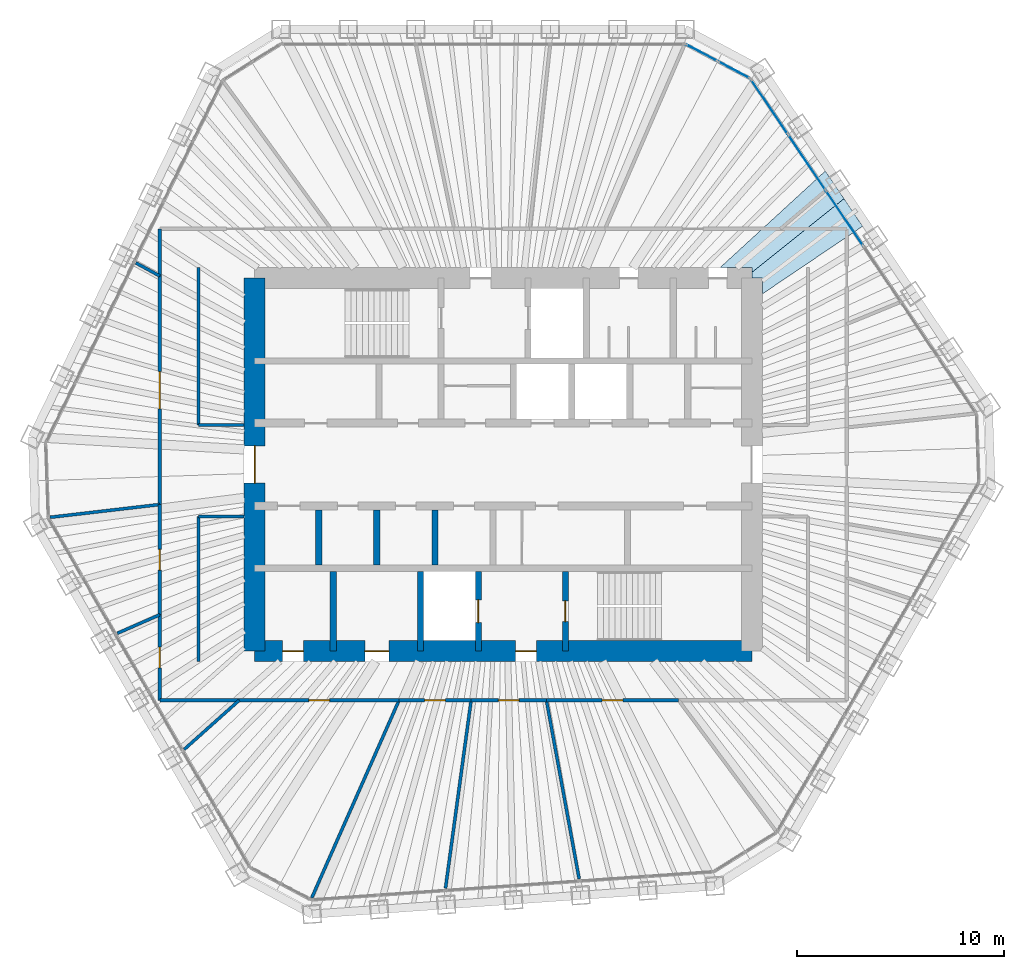
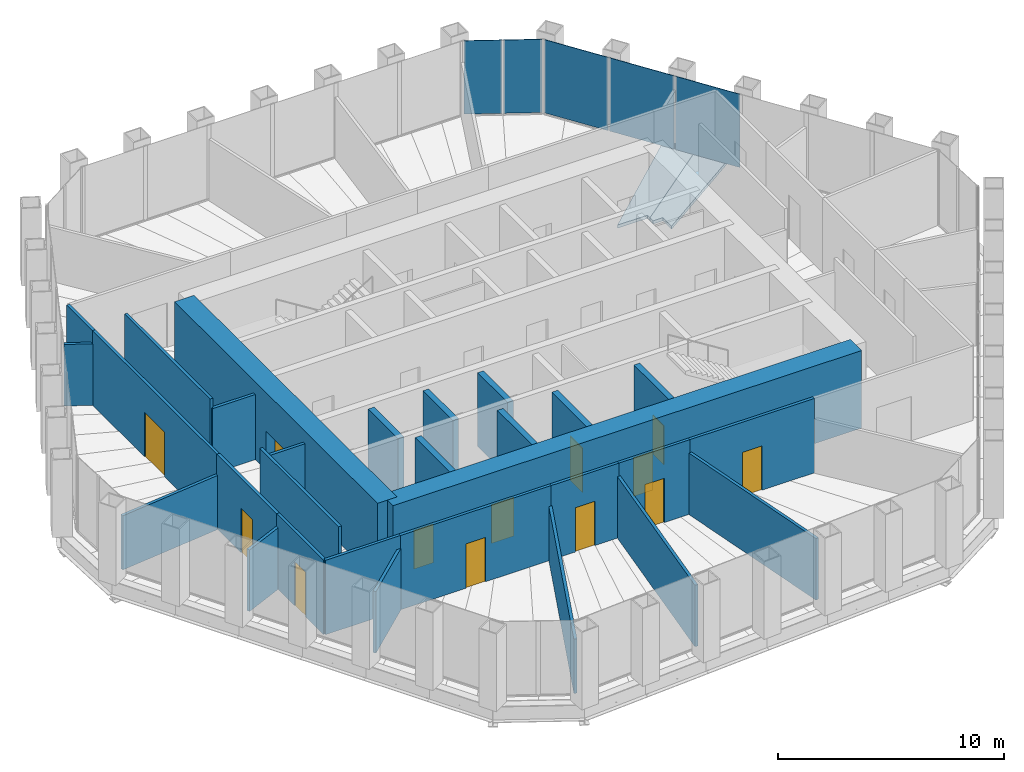
# One storey, part 11 of 14: 29 walls, 13 doors, 5 plates, 2 slabs, 13 openings, 2 elements without a shape of their own.
"""IFC4 building model written with IfcOpenShell, lengths in metres."""

from ifc_helpers import new_model, si_unit, direction, frame, frame_2d, origin, origin_2d, place, context, subcontext, project, spatial, polyline, rectangle, outline, extrude, material, layer, layer_set, type_object, element, fill, aggregate, save


model = new_model("IFC4")

# Units and contexts
model_context = context("Model", 3, precision=1e-05, world=origin(), true_north=direction((0.0, 1.0)))
body_context = subcontext(model_context, "Body", "Model", "MODEL_VIEW")
ifc_project = project(units=[si_unit("LENGTHUNIT", "METRE"), si_unit("AREAUNIT", "SQUARE_METRE"), si_unit("VOLUMEUNIT", "CUBIC_METRE"), si_unit("PLANEANGLEUNIT", "RADIAN"), si_unit("MASSUNIT", "GRAM", prefix="KILO")], contexts=[model_context])

# Site, building, storey
site_placement = place(None, origin())
site = spatial("IfcSite", under=ifc_project, at=site_placement, CompositionType="ELEMENT")
building_placement = place(site_placement, origin())
building = spatial("IfcBuilding", under=site, at=building_placement, Name="Qingtian Harvest Tower", CompositionType="ELEMENT")
storey_placement = place(building_placement, frame((0.0, 0.0, 278.800048828125)))
storey = spatial("IfcBuildingStorey", under=building, at=storey_placement, Name="L61", CompositionType="ELEMENT", Elevation=278.800048828125)

# Slabs
ifc_material_1 = material(Name="Concrete fc' 35 MPa", Category="concrete")
ifc_layer_1 = layer(ifc_material_1, 0.169921875)
ifc_layer_set_1 = layer_set([ifc_layer_1], Name="Composite floor slab FS17 170")
slab_type = type_object("IfcSlabType", Name="Composite floor slab FS17 170", PredefinedType="FLOOR", material=ifc_layer_set_1)
slab_1_placement = place(storey_placement, frame((0.0, 0.0, -0.170166015625)))
element("IfcSlab", 1, at=slab_1_placement, inside=storey, type_object=slab_type, Name="Floor slab L61 panel D47", PredefinedType="FLOOR", context=body_context, shape_type="SweptSolid", body=[
    extrude(outline(polyline([(12.5, 9.0), (12.0, 9.0), (12.0, 9.2734375), (16.44189453125, 12.829345703125), (17.341064453125, 11.496337890625), (12.5, 8.22998046875), (12.5, 9.0)])), origin(), (0.0, 0.0, 1.0), 0.170166015625),
])
slab_2_placement = place(storey_placement, frame((0.0, 0.0, -0.170166015625)))
element("IfcSlab", 2, at=slab_2_placement, inside=storey, type_object=slab_type, Name="Floor slab L61 panel D48", PredefinedType="FLOOR", context=body_context, shape_type="SweptSolid", body=[
    extrude(outline(polyline([(12.0, 9.5), (10.4599609375, 9.5), (15.541259765625, 14.16455078125), (16.44189453125, 12.829345703125), (12.0, 9.2734375), (12.0, 9.5)])), origin(), (0.0, 0.0, 1.0), 0.170166015625),
])

# Curtain wall, plates
ifc_material_2 = material(Name="Bronze-anodised aluminium curtain wall", Category="aluminium")
curtain_wall_type = type_object("IfcCurtainWallType", Name="Curtain wall CW5 upper office", PredefinedType="USERDEFINED", material=ifc_material_2)
curtain_wall_1_placement = place(storey_placement, origin())
curtain_wall_1 = element("IfcCurtainWall", 3, at=curtain_wall_1_placement, inside=storey, type_object=curtain_wall_type, Name="Curtain wall CW5 L61 NC", ObjectType="RECESSED CURTAIN WALL", PredefinedType="USERDEFINED")
ifc_material_3 = material(Name="Bronze-tinted laminated insulating glass", Category="glass")
ifc_layer_2 = layer(ifc_material_3, 0.030029296875)
ifc_layer_set_2 = layer_set([ifc_layer_2], Name="Glazed panel CWP tinted IGU")
plate_type = type_object("IfcPlateType", Name="Glazed panel CWP tinted IGU", PredefinedType="CURTAIN_PANEL", material=ifc_layer_set_2)
plate_1_placement = place(storey_placement, frame((9.57080078125, 19.8720703125, 0.06494140625), z_axis=(0.0, 0.0, 1.0), x_axis=(0.882947592859, -0.469471562786, 0.0)))
plate_1 = element("IfcPlate", 4, at=plate_1_placement, type_object=plate_type, Name="CW5 panel 1.1", PredefinedType="CURTAIN_PANEL", context=body_context, shape_type="SweptSolid", body=[
    extrude(rectangle(XDim=1.69287109375, YDim=0.030029296875, at=origin_2d()), origin(), (0.0, 0.0, 1.0), 3.965087890625),
])
plate_2_placement = place(storey_placement, frame((11.122802734375, 19.046875, 0.06494140625), z_axis=(0.0, 0.0, 1.0), x_axis=(0.882947592859, -0.469471562786, 0.0)))
plate_2 = element("IfcPlate", 5, at=plate_2_placement, type_object=plate_type, Name="CW5 panel 2.1", PredefinedType="CURTAIN_PANEL", context=body_context, shape_type="SweptSolid", body=[
    extrude(rectangle(XDim=1.69287109375, YDim=0.030029296875, at=origin_2d()), origin(), (0.0, 0.0, 1.0), 3.965087890625),
])
aggregate(curtain_wall_1, [plate_1, plate_2])

curtain_wall_2_placement = place(storey_placement, origin())
curtain_wall_2 = element("IfcCurtainWall", 6, at=curtain_wall_2_placement, inside=storey, type_object=curtain_wall_type, Name="Curtain wall CW5 L61 NE0-5", ObjectType="RECESSED CURTAIN WALL", PredefinedType="USERDEFINED")
plate_3_placement = place(storey_placement, frame((12.844970703125, 17.259033203125, 0.06494140625), z_axis=(0.0, 0.0, 1.0), x_axis=(0.559192903471, -0.829037572555, 0.0)))
plate_3 = element("IfcPlate", 7, at=plate_3_placement, type_object=plate_type, Name="CW5 panel 1.1", PredefinedType="CURTAIN_PANEL", context=body_context, shape_type="SweptSolid", body=[
    extrude(rectangle(XDim=3.150634765625, YDim=0.030029296875, at=origin_2d()), origin(), (0.0, 0.0, 1.0), 3.965087890625),
])
plate_4_placement = place(storey_placement, frame((14.652099609375, 14.579833984375, 0.06494140625), z_axis=(0.0, 0.0, 1.0), x_axis=(0.559192903471, -0.829037572555, 0.0)))
plate_4 = element("IfcPlate", 8, at=plate_4_placement, type_object=plate_type, Name="CW5 panel 2.1", PredefinedType="CURTAIN_PANEL", context=body_context, shape_type="SweptSolid", body=[
    extrude(rectangle(XDim=3.18310546875, YDim=0.030029296875, at=origin_2d()), origin(), (0.0, 0.0, 1.0), 3.965087890625),
])
plate_5_placement = place(storey_placement, frame((16.46826171875, 11.886962890625, 0.06494140625), z_axis=(0.0, 0.0, 1.0), x_axis=(0.559192903471, -0.829037572555, 0.0)))
plate_5 = element("IfcPlate", 9, at=plate_5_placement, type_object=plate_type, Name="CW5 panel 3.1", PredefinedType="CURTAIN_PANEL", context=body_context, shape_type="SweptSolid", body=[
    extrude(rectangle(XDim=3.18310546875, YDim=0.030029296875, at=origin_2d()), origin(), (0.0, 0.0, 1.0), 3.965087890625),
])
aggregate(curtain_wall_2, [plate_3, plate_4, plate_5])

# Walls
ifc_material_4 = material(Name="Precast concrete shaft panel", Category="concrete")
ifc_layer_3 = layer(ifc_material_4, 0.300048828125)
ifc_layer_set_3 = layer_set([ifc_layer_3], Name="Core shaft partition SW1 300")
wall_type_1 = type_object("IfcWallType", Name="Core shaft partition SW1 300", PredefinedType="PARTITIONING", material=ifc_layer_set_3)
for number, where, z_axis, x_axis, name in (
    (10, (-8.89990234375, -4.85009765625, 0.0), (0.0, 0.0, 1.0), (0.0, 1.0, 0.0), "Core shaft partition XB1 L61"),
    (11, (-6.10009765625, -4.85009765625, 0.0), (0.0, 0.0, 1.0), (0.0, 1.0, 0.0), "Core shaft partition XB2 L61"),
    (12, (-3.300048828125, -4.85009765625, 0.0), (0.0, 0.0, 1.0), (0.0, 1.0, 0.0), "Core shaft partition XB3 L61"),
):
    element("IfcWall", number, at=place(storey_placement, frame(where, z_axis=z_axis, x_axis=x_axis)), inside=storey, type_object=wall_type_1, Name=name, PredefinedType="PARTITIONING", context=body_context, shape_type="SweptSolid", body=[
        extrude(rectangle(XDim=2.650146484375, YDim=0.300048828125, at=frame_2d((1.3251953125, 0.0))), origin(), (0.0, 0.0, 1.0), 3.97998046875),
    ])
for number, where, z_axis, x_axis, name in (
    (13, (-8.199951171875, -9.0, 0.0), (0.0, 0.0, 1.0), (0.0, 1.0, 0.0), "Core shaft partition XS1 L61"),
    (14, (-4.0, -9.0, 0.0), (0.0, 0.0, 1.0), (0.0, 1.0, 0.0), "Core shaft partition XS2 L61"),
):
    element("IfcWall", number, at=place(storey_placement, frame(where, z_axis=z_axis, x_axis=x_axis)), inside=storey, type_object=wall_type_1, Name=name, PredefinedType="PARTITIONING", context=body_context, shape_type="SweptSolid", body=[
        extrude(rectangle(XDim=3.85009765625, YDim=0.300048828125, at=frame_2d((1.925048828125, 0.0))), origin(), (0.0, 0.0, 1.0), 3.97998046875),
    ])

# Wall, opening, door
wall_1_placement = place(storey_placement, frame((-1.199951171875, -9.0, 0.0), z_axis=(0.0, 0.0, 1.0), x_axis=(0.0, 1.0, 0.0)))
wall_1 = element("IfcWall", 15, at=wall_1_placement, inside=storey, type_object=wall_type_1, Name="Core shaft partition XS3 L61", PredefinedType="PARTITIONING", context=body_context, shape_type="SweptSolid", body=[
    extrude(rectangle(XDim=3.85009765625, YDim=0.300048828125, at=frame_2d((1.925048828125, 0.0))), origin(), (0.0, 0.0, 1.0), 3.97998046875),
])
opening_1_placement = place(wall_1_placement, frame((1.375, 0.0, 0.0)))
opening_1 = element("IfcOpeningElement", 16, at=opening_1_placement, cuts=wall_1, Name="Opening LD1", PredefinedType="OPENING", context=body_context, shape_type="SweptSolid", body=[
    extrude(rectangle(XDim=1.10009765625, YDim=2.39990234375, at=frame_2d((0.550048828125, 1.199951171875))), frame((0.0, 0.159912109375, 0.0), z_axis=(0.0, -1.0, 0.0), x_axis=(1.0, 0.0, 0.0)), (0.0, 0.0, 1.0), 0.320068359375),
])
ifc_material_5 = material(Name="Stainless steel lift landing door", Category="steel")
door_type_1 = type_object("IfcDoorType", Name="Lift landing door LD1 1 HR", OperationType="DOUBLE_DOOR_SLIDING", PredefinedType="DOOR", material=ifc_material_5)
door_1_placement = place(opening_1_placement, origin())
door_1 = element("IfcDoor", 17, at=door_1_placement, inside=storey, type_object=door_type_1, Name="FL2 landing door L61", OperationType="DOUBLE_DOOR_SLIDING", OverallHeight=2.39990234375, OverallWidth=1.10009765625, PredefinedType="DOOR", context=body_context, shape_type="SweptSolid", body=[
    extrude(rectangle(XDim=1.10009765625, YDim=2.39990234375, at=frame_2d((0.550048828125, 1.199951171875))), frame((0.0, 0.02490234375, 0.0), z_axis=(0.0, -1.0, 0.0), x_axis=(1.0, 0.0, 0.0)), (0.0, 0.0, 1.0), 0.050048828125),
])
fill(opening_1, door_1)

wall_2_placement = place(storey_placement, frame((3.0, -9.0, 0.0), z_axis=(0.0, 0.0, 1.0), x_axis=(0.0, 1.0, 0.0)))
wall_2 = element("IfcWall", 18, at=wall_2_placement, inside=storey, type_object=wall_type_1, Name="Core shaft partition XS4 L61", PredefinedType="PARTITIONING", context=body_context, shape_type="SweptSolid", body=[
    extrude(rectangle(XDim=3.85009765625, YDim=0.300048828125, at=frame_2d((1.925048828125, 0.0))), origin(), (0.0, 0.0, 1.0), 3.97998046875),
])
opening_2_placement = place(wall_2_placement, frame((1.425048828125, 0.0, 0.0)))
opening_2 = element("IfcOpeningElement", 19, at=opening_2_placement, cuts=wall_2, Name="Opening FD1", PredefinedType="OPENING", context=body_context, shape_type="SweptSolid", body=[
    extrude(rectangle(XDim=1.0, YDim=2.10009765625, at=frame_2d((0.5, 1.050048828125))), frame((0.0, 0.159912109375, 0.0), z_axis=(0.0, -1.0, 0.0), x_axis=(1.0, 0.0, 0.0)), (0.0, 0.0, 1.0), 0.320068359375),
])
ifc_material_6 = material(Name="Steel-faced door leaf", Category="steel")
door_type_2 = type_object("IfcDoorType", Name="Fire door FD1 single 1 HR", OperationType="SINGLE_SWING_LEFT", PredefinedType="DOOR", material=ifc_material_6)
door_2_placement = place(opening_2_placement, origin())
door_2 = element("IfcDoor", 20, at=door_2_placement, inside=storey, type_object=door_type_2, Name="S2 door L61", OperationType="SINGLE_SWING_RIGHT", OverallHeight=2.10009765625, OverallWidth=1.0, PredefinedType="DOOR", context=body_context, shape_type="SweptSolid", body=[
    extrude(rectangle(XDim=1.0, YDim=2.10009765625, at=frame_2d((0.5, 1.050048828125))), frame((0.0, 0.02490234375, 0.0), z_axis=(0.0, -1.0, 0.0), x_axis=(1.0, 0.0, 0.0)), (0.0, 0.0, 1.0), 0.050048828125),
])
fill(opening_2, door_2)

# Wall, openings, doors
ifc_material_7 = material(Name="Concrete fc' 70 MPa", Category="concrete")
ifc_layer_4 = layer(ifc_material_7, 1.0)
ifc_layer_set_4 = layer_set([ifc_layer_4], Name="Core wall RC3 1000")
wall_type_2 = type_object("IfcWallType", Name="Core wall RC3 1000", PredefinedType="SHEAR", material=ifc_layer_set_4)
wall_3_placement = place(storey_placement, frame((-12.0, -9.0, 0.0), z_axis=(0.0, 0.0, 1.0), x_axis=(1.0, 0.0, 0.0)))
wall_3 = element("IfcWall", 21, at=wall_3_placement, inside=storey, type_object=wall_type_2, Name="Core wall CS L61", PredefinedType="SHEAR", context=body_context, shape_type="SweptSolid", body=[
    extrude(rectangle(XDim=24.0, YDim=1.0, at=frame_2d((12.0, 0.0))), origin(), (0.0, 0.0, 1.0), 4.199951171875),
])
opening_3_placement = place(wall_3_placement, frame((1.35009765625, 0.0, 0.0)))
opening_3 = element("IfcOpeningElement", 22, at=opening_3_placement, cuts=wall_3, Name="Opening FD1", PredefinedType="OPENING", context=body_context, shape_type="SweptSolid", body=[
    extrude(rectangle(XDim=1.0, YDim=2.10009765625, at=frame_2d((0.5, 1.050048828125))), frame((0.0, 0.510009765625, 0.0), z_axis=(0.0, -1.0, 0.0), x_axis=(1.0, 0.0, 0.0)), (0.0, 0.0, 1.0), 1.02001953125),
])
opening_4_placement = place(wall_3_placement, frame((5.324951171875, 0.0, 0.0)))
opening_4 = element("IfcOpeningElement", 23, at=opening_4_placement, cuts=wall_3, Name="Opening AD1", PredefinedType="OPENING", context=body_context, shape_type="SweptSolid", body=[
    extrude(rectangle(XDim=1.14990234375, YDim=2.10009765625, at=frame_2d((0.574951171875, 1.050048828125))), frame((0.0, 0.510009765625, 0.0), z_axis=(0.0, -1.0, 0.0), x_axis=(1.0, 0.0, 0.0)), (0.0, 0.0, 1.0), 1.02001953125),
])
opening_5_placement = place(wall_3_placement, frame((12.60009765625, 0.0, 0.0)))
opening_5 = element("IfcOpeningElement", 24, at=opening_5_placement, cuts=wall_3, Name="Opening FD1", PredefinedType="OPENING", context=body_context, shape_type="SweptSolid", body=[
    extrude(rectangle(XDim=1.0, YDim=2.10009765625, at=frame_2d((0.5, 1.050048828125))), frame((0.0, 0.510009765625, 0.0), z_axis=(0.0, -1.0, 0.0), x_axis=(1.0, 0.0, 0.0)), (0.0, 0.0, 1.0), 1.02001953125),
])
ifc_material_8 = material(Name="Laminated timber door leaf", Category="wood")
door_type_3 = type_object("IfcDoorType", Name="Accessible WC door AD1 single", OperationType="SINGLE_SWING_LEFT", PredefinedType="DOOR", material=ifc_material_8)
door_3_placement = place(opening_4_placement, origin())
door_3 = element("IfcDoor", 25, at=door_3_placement, inside=storey, type_object=door_type_3, Name="AWC door L61", OperationType="SINGLE_SWING_LEFT", OverallHeight=2.10009765625, OverallWidth=1.14990234375, PredefinedType="DOOR", context=body_context, shape_type="SweptSolid", body=[
    extrude(rectangle(XDim=1.14990234375, YDim=2.10009765625, at=frame_2d((0.574951171875, 1.050048828125))), frame((0.0, 0.02490234375, 0.0), z_axis=(0.0, -1.0, 0.0), x_axis=(1.0, 0.0, 0.0)), (0.0, 0.0, 1.0), 0.050048828125),
])
fill(opening_4, door_3)
door_4_placement = place(opening_3_placement, origin())
door_4 = element("IfcDoor", 26, at=door_4_placement, inside=storey, type_object=door_type_2, Name="CLN door L61", OperationType="SINGLE_SWING_RIGHT", OverallHeight=2.10009765625, OverallWidth=1.0, PredefinedType="DOOR", context=body_context, shape_type="SweptSolid", body=[
    extrude(rectangle(XDim=1.0, YDim=2.10009765625, at=frame_2d((0.5, 1.050048828125))), frame((0.0, 0.02490234375, 0.0), z_axis=(0.0, -1.0, 0.0), x_axis=(1.0, 0.0, 0.0)), (0.0, 0.0, 1.0), 0.050048828125),
])
fill(opening_3, door_4)
door_5_placement = place(opening_5_placement, origin())
door_5 = element("IfcDoor", 27, at=door_5_placement, inside=storey, type_object=door_type_2, Name="V2 door L61", OperationType="SINGLE_SWING_RIGHT", OverallHeight=2.10009765625, OverallWidth=1.0, PredefinedType="DOOR", context=body_context, shape_type="SweptSolid", body=[
    extrude(rectangle(XDim=1.0, YDim=2.10009765625, at=frame_2d((0.5, 1.050048828125))), frame((0.0, 0.02490234375, 0.0), z_axis=(0.0, -1.0, 0.0), x_axis=(1.0, 0.0, 0.0)), (0.0, 0.0, 1.0), 0.050048828125),
])
fill(opening_5, door_5)

# Wall, opening, door
wall_4_placement = place(storey_placement, frame((-12.0, -9.0, 0.0), z_axis=(0.0, 0.0, 1.0), x_axis=(0.0, 1.0, 0.0)))
wall_4 = element("IfcWall", 28, at=wall_4_placement, inside=storey, type_object=wall_type_2, Name="Core wall CW L61", PredefinedType="SHEAR", context=body_context, shape_type="SweptSolid", body=[
    extrude(rectangle(XDim=18.0, YDim=1.0, at=frame_2d((9.0, 0.0))), origin(), (0.0, 0.0, 1.0), 4.199951171875),
])
opening_6_placement = place(wall_4_placement, frame((8.10009765625, 0.0, 0.0)))
opening_6 = element("IfcOpeningElement", 29, at=opening_6_placement, cuts=wall_4, Name="Opening FD2", PredefinedType="OPENING", context=body_context, shape_type="SweptSolid", body=[
    extrude(rectangle(XDim=1.800048828125, YDim=2.10009765625, at=frame_2d((0.89990234375, 1.050048828125))), frame((0.0, 0.510009765625, 0.0), z_axis=(0.0, -1.0, 0.0), x_axis=(1.0, 0.0, 0.0)), (0.0, 0.0, 1.0), 1.02001953125),
])
ifc_material_9 = material(Name="Steel-faced door leaf", Category="steel")
door_type_4 = type_object("IfcDoorType", Name="Fire door FD2 double 1 HR", OperationType="DOUBLE_DOOR_DOUBLE_SWING", PredefinedType="DOOR", material=ifc_material_9)
door_6_placement = place(opening_6_placement, origin())
door_6 = element("IfcDoor", 30, at=door_6_placement, inside=storey, type_object=door_type_4, Name="LOBBY-W door L61", OperationType="DOUBLE_DOOR_DOUBLE_SWING", OverallHeight=2.10009765625, OverallWidth=1.800048828125, PredefinedType="DOOR", context=body_context, shape_type="SweptSolid", body=[
    extrude(rectangle(XDim=1.800048828125, YDim=2.10009765625, at=frame_2d((0.89990234375, 1.050048828125))), frame((0.0, 0.02490234375, 0.0), z_axis=(0.0, -1.0, 0.0), x_axis=(1.0, 0.0, 0.0)), (0.0, 0.0, 1.0), 0.050048828125),
])
fill(opening_6, door_6)

ifc_material_10 = material(Name="Gypsum board on steel studs", Category="steel")
ifc_layer_5 = layer(ifc_material_10, 0.14990234375)
ifc_layer_set_5 = layer_set([ifc_layer_5], Name="Partition PT1 150")
wall_type_3 = type_object("IfcWallType", Name="Partition PT1 150", PredefinedType="PARTITIONING", material=ifc_layer_set_5)
wall_5_placement = place(storey_placement, frame((8.46142578125, -11.375, 0.0), z_axis=(0.0, 0.0, 1.0), x_axis=(-1.0, 0.0, 0.0)))
wall_5 = element("IfcWall", 31, at=wall_5_placement, inside=storey, type_object=wall_type_3, Name="Pantry wall L61", PredefinedType="PARTITIONING", context=body_context, shape_type="SweptSolid", body=[
    extrude(rectangle(XDim=6.3779296875, YDim=0.14990234375, at=frame_2d((3.18896484375, 0.0))), origin(), (0.0, 0.0, 1.0), 4.030029296875),
])
opening_7_placement = place(wall_5_placement, frame((2.68896484375, 0.0, 0.0)))
opening_7 = element("IfcOpeningElement", 32, at=opening_7_placement, cuts=wall_5, Name="Opening D2", PredefinedType="OPENING", context=body_context, shape_type="SweptSolid", body=[
    extrude(rectangle(XDim=1.0, YDim=2.39990234375, at=frame_2d((0.5, 1.199951171875))), frame((0.0, 0.0849609375, 0.0), z_axis=(0.0, -1.0, 0.0), x_axis=(1.0, 0.0, 0.0)), (0.0, 0.0, 1.0), 0.169921875),
])
ifc_material_11 = material(Name="Laminated timber door leaf", Category="wood")
door_type_5 = type_object("IfcDoorType", Name="Room door D2 single", OperationType="SINGLE_SWING_LEFT", PredefinedType="DOOR", material=ifc_material_11)
door_7_placement = place(opening_7_placement, origin())
door_7 = element("IfcDoor", 33, at=door_7_placement, inside=storey, type_object=door_type_5, Name="Pantry door L61", OperationType="SINGLE_SWING_RIGHT", OverallHeight=2.39990234375, OverallWidth=1.0, PredefinedType="DOOR", context=body_context, shape_type="SweptSolid", body=[
    extrude(rectangle(XDim=1.0, YDim=2.39990234375, at=frame_2d((0.5, 1.199951171875))), frame((0.0, 0.02490234375, 0.0), z_axis=(0.0, -1.0, 0.0), x_axis=(1.0, 0.0, 0.0)), (0.0, 0.0, 1.0), 0.050048828125),
])
fill(opening_7, door_7)

# Wall
wall_6_placement = place(storey_placement, frame((3.662353515625, -19.993896484375, 0.0), z_axis=(0.0, 0.0, 1.0), x_axis=(-0.18018724377, 0.983632328252, 0.0)))
element("IfcWall", 34, at=wall_6_placement, inside=storey, type_object=wall_type_3, Name="Print room wall L61", PredefinedType="PARTITIONING", context=body_context, shape_type="SweptSolid", body=[
    extrude(rectangle(XDim=8.76220703125, YDim=0.14990234375, at=frame_2d((4.381103515625, 0.0))), origin(), (0.0, 0.0, 1.0), 3.329833984375),
])

# Wall, opening, door
wall_7_placement = place(storey_placement, frame((2.08349609375, -11.375, 0.0), z_axis=(0.0, 0.0, 1.0), x_axis=(-1.0, 0.0, 0.0)))
wall_7 = element("IfcWall", 35, at=wall_7_placement, inside=storey, type_object=wall_type_3, Name="Print room wall L61", PredefinedType="PARTITIONING", context=body_context, shape_type="SweptSolid", body=[
    extrude(rectangle(XDim=3.633544921875, YDim=0.14990234375, at=frame_2d((1.81689453125, 0.0))), origin(), (0.0, 0.0, 1.0), 4.030029296875),
])
opening_8_placement = place(wall_7_placement, frame((1.31689453125, 0.0, 0.0)))
opening_8 = element("IfcOpeningElement", 36, at=opening_8_placement, cuts=wall_7, Name="Opening D2", PredefinedType="OPENING", context=body_context, shape_type="SweptSolid", body=[
    extrude(rectangle(XDim=1.0, YDim=2.39990234375, at=frame_2d((0.5, 1.199951171875))), frame((0.0, 0.0849609375, 0.0), z_axis=(0.0, -1.0, 0.0), x_axis=(1.0, 0.0, 0.0)), (0.0, 0.0, 1.0), 0.169921875),
])
door_8_placement = place(opening_8_placement, origin())
door_8 = element("IfcDoor", 37, at=door_8_placement, inside=storey, type_object=door_type_5, Name="Print room door L61", OperationType="SINGLE_SWING_RIGHT", OverallHeight=2.39990234375, OverallWidth=1.0, PredefinedType="DOOR", context=body_context, shape_type="SweptSolid", body=[
    extrude(rectangle(XDim=1.0, YDim=2.39990234375, at=frame_2d((0.5, 1.199951171875))), frame((0.0, 0.02490234375, 0.0), z_axis=(0.0, -1.0, 0.0), x_axis=(1.0, 0.0, 0.0)), (0.0, 0.0, 1.0), 0.050048828125),
])
fill(opening_8, door_8)

# Wall
wall_8_placement = place(storey_placement, frame((-2.786376953125, -20.4462890625, 0.0), z_axis=(0.0, 0.0, 1.0), x_axis=(0.135041803834, 0.99083990191, 0.0)))
element("IfcWall", 38, at=wall_8_placement, inside=storey, type_object=wall_type_3, Name="Meeting room wall L61", PredefinedType="PARTITIONING", context=body_context, shape_type="SweptSolid", body=[
    extrude(rectangle(XDim=9.155029296875, YDim=0.14990234375, at=frame_2d((4.57763671875, 0.0))), origin(), (0.0, 0.0, 1.0), 3.329833984375),
])

# Wall, opening, door
wall_9_placement = place(storey_placement, frame((-1.550048828125, -11.375, 0.0), z_axis=(0.0, 0.0, 1.0), x_axis=(-1.0, 0.0, 0.0)))
wall_9 = element("IfcWall", 39, at=wall_9_placement, inside=storey, type_object=wall_type_3, Name="Meeting room wall L61", PredefinedType="PARTITIONING", context=body_context, shape_type="SweptSolid", body=[
    extrude(rectangle(XDim=3.47705078125, YDim=0.14990234375, at=frame_2d((1.738525390625, 0.0))), origin(), (0.0, 0.0, 1.0), 4.030029296875),
])
opening_9_placement = place(wall_9_placement, frame((1.238525390625, 0.0, 0.0)))
opening_9 = element("IfcOpeningElement", 40, at=opening_9_placement, cuts=wall_9, Name="Opening D2", PredefinedType="OPENING", context=body_context, shape_type="SweptSolid", body=[
    extrude(rectangle(XDim=1.0, YDim=2.39990234375, at=frame_2d((0.5, 1.199951171875))), frame((0.0, 0.0849609375, 0.0), z_axis=(0.0, -1.0, 0.0), x_axis=(1.0, 0.0, 0.0)), (0.0, 0.0, 1.0), 0.169921875),
])
door_9_placement = place(opening_9_placement, origin())
door_9 = element("IfcDoor", 41, at=door_9_placement, inside=storey, type_object=door_type_5, Name="Meeting room door L61", OperationType="SINGLE_SWING_LEFT", OverallHeight=2.39990234375, OverallWidth=1.0, PredefinedType="DOOR", context=body_context, shape_type="SweptSolid", body=[
    extrude(rectangle(XDim=1.0, YDim=2.39990234375, at=frame_2d((0.5, 1.199951171875))), frame((0.0, 0.02490234375, 0.0), z_axis=(0.0, -1.0, 0.0), x_axis=(1.0, 0.0, 0.0)), (0.0, 0.0, 1.0), 0.050048828125),
])
fill(opening_9, door_9)

# Wall
wall_10_placement = place(storey_placement, frame((-9.23974609375, -20.906982421875, 0.0), z_axis=(0.0, 0.0, 1.0), x_axis=(0.404231308238, 0.914656793251, 0.0)))
element("IfcWall", 42, at=wall_10_placement, inside=storey, type_object=wall_type_3, Name="Workplace zone wall L61", PredefinedType="PARTITIONING", context=body_context, shape_type="SweptSolid", body=[
    extrude(rectangle(XDim=10.42138671875, YDim=0.14990234375, at=frame_2d((5.210693359375, 0.0))), origin(), (0.0, 0.0, 1.0), 2.929931640625),
])

# Wall, opening, door
wall_11_placement = place(storey_placement, frame((-5.027099609375, -11.375, 0.0), z_axis=(0.0, 0.0, 1.0), x_axis=(-1.0, 0.0, 0.0)))
wall_11 = element("IfcWall", 43, at=wall_11_placement, inside=storey, type_object=wall_type_3, Name="Workplace zone wall L61", PredefinedType="PARTITIONING", context=body_context, shape_type="SweptSolid", body=[
    extrude(rectangle(XDim=7.712890625, YDim=0.14990234375, at=frame_2d((3.8564453125, 0.0))), origin(), (0.0, 0.0, 1.0), 4.030029296875),
])
opening_10_placement = place(wall_11_placement, frame((3.3564453125, 0.0, 0.0)))
opening_10 = element("IfcOpeningElement", 44, at=opening_10_placement, cuts=wall_11, Name="Opening D2", PredefinedType="OPENING", context=body_context, shape_type="SweptSolid", body=[
    extrude(rectangle(XDim=1.0, YDim=2.39990234375, at=frame_2d((0.5, 1.199951171875))), frame((0.0, 0.0849609375, 0.0), z_axis=(0.0, -1.0, 0.0), x_axis=(1.0, 0.0, 0.0)), (0.0, 0.0, 1.0), 0.169921875),
])
door_10_placement = place(opening_10_placement, origin())
door_10 = element("IfcDoor", 45, at=door_10_placement, inside=storey, type_object=door_type_5, Name="Workplace zone door L61", OperationType="SINGLE_SWING_LEFT", OverallHeight=2.39990234375, OverallWidth=1.0, PredefinedType="DOOR", context=body_context, shape_type="SweptSolid", body=[
    extrude(rectangle(XDim=1.0, YDim=2.39990234375, at=frame_2d((0.5, 1.199951171875))), frame((0.0, 0.02490234375, 0.0), z_axis=(0.0, -1.0, 0.0), x_axis=(1.0, 0.0, 0.0)), (0.0, 0.0, 1.0), 0.050048828125),
])
fill(opening_10, door_10)

# Walls
wall_12_placement = place(storey_placement, frame((-15.392578125, -13.743408203125, 0.0), z_axis=(0.0, 0.0, 1.0), x_axis=(0.745934007174, 0.666019862273, 0.0)))
element("IfcWall", 46, at=wall_12_placement, inside=storey, type_object=wall_type_3, Name="Meeting room wall L61", PredefinedType="PARTITIONING", context=body_context, shape_type="SweptSolid", body=[
    extrude(rectangle(XDim=3.55615234375, YDim=0.14990234375, at=frame_2d((1.778076171875, 0.0))), origin(), (0.0, 0.0, 1.0), 3.329833984375),
])
wall_13_placement = place(storey_placement, frame((-12.739990234375, -11.375, 0.0), z_axis=(0.0, 0.0, 1.0), x_axis=(-1.0, 0.0, 0.0)))
element("IfcWall", 47, at=wall_13_placement, inside=storey, type_object=wall_type_3, Name="Meeting room wall L61", PredefinedType="PARTITIONING", context=body_context, shape_type="SweptSolid", body=[
    extrude(rectangle(XDim=3.8349609375, YDim=0.14990234375, at=frame_2d((1.91748046875, 0.0))), origin(), (0.0, 0.0, 1.0), 4.030029296875),
])

# Wall, opening, door
wall_14_placement = place(storey_placement, frame((-16.574951171875, -11.375, 0.0), z_axis=(0.0, 0.0, 1.0), x_axis=(0.0, 1.0, 0.0)))
wall_14 = element("IfcWall", 48, at=wall_14_placement, inside=storey, type_object=wall_type_3, Name="Meeting room wall L61", PredefinedType="PARTITIONING", context=body_context, shape_type="SweptSolid", body=[
    extrude(rectangle(XDim=4.126708984375, YDim=0.14990234375, at=frame_2d((2.0634765625, 0.0))), origin(), (0.0, 0.0, 1.0), 4.030029296875),
])
opening_11_placement = place(wall_14_placement, frame((1.563232421875, 0.0, 0.0)))
opening_11 = element("IfcOpeningElement", 49, at=opening_11_placement, cuts=wall_14, Name="Opening D2", PredefinedType="OPENING", context=body_context, shape_type="SweptSolid", body=[
    extrude(rectangle(XDim=1.0, YDim=2.39990234375, at=frame_2d((0.5, 1.199951171875))), frame((0.0, 0.0849609375, 0.0), z_axis=(0.0, -1.0, 0.0), x_axis=(1.0, 0.0, 0.0)), (0.0, 0.0, 1.0), 0.169921875),
])
door_11_placement = place(opening_11_placement, origin())
door_11 = element("IfcDoor", 50, at=door_11_placement, inside=storey, type_object=door_type_5, Name="Meeting room door L61", OperationType="SINGLE_SWING_LEFT", OverallHeight=2.39990234375, OverallWidth=1.0, PredefinedType="DOOR", context=body_context, shape_type="SweptSolid", body=[
    extrude(rectangle(XDim=1.0, YDim=2.39990234375, at=frame_2d((0.5, 1.199951171875))), frame((0.0, 0.02490234375, 0.0), z_axis=(0.0, -1.0, 0.0), x_axis=(1.0, 0.0, 0.0)), (0.0, 0.0, 1.0), 0.050048828125),
])
fill(opening_11, door_11)

# Wall
wall_15_placement = place(storey_placement, frame((-18.62353515625, -8.144287109375, 0.0), z_axis=(0.0, 0.0, 1.0), x_axis=(0.916199931106, 0.400721457176, 0.0)))
element("IfcWall", 51, at=wall_15_placement, inside=storey, type_object=wall_type_3, Name="Meeting room wall L61", PredefinedType="PARTITIONING", context=body_context, shape_type="SweptSolid", body=[
    extrude(rectangle(XDim=2.23583984375, YDim=0.14990234375, at=frame_2d((1.117919921875, 0.0))), origin(), (0.0, 0.0, 1.0), 3.329833984375),
])

# Wall, opening, door
wall_16_placement = place(storey_placement, frame((-16.574951171875, -7.248291015625, 0.0), z_axis=(0.0, 0.0, 1.0), x_axis=(0.0, 1.0, 0.0)))
wall_16 = element("IfcWall", 52, at=wall_16_placement, inside=storey, type_object=wall_type_3, Name="Meeting room wall L61", PredefinedType="PARTITIONING", context=body_context, shape_type="SweptSolid", body=[
    extrude(rectangle(XDim=5.3173828125, YDim=0.14990234375, at=frame_2d((2.65869140625, 0.0))), origin(), (0.0, 0.0, 1.0), 4.030029296875),
])
opening_12_placement = place(wall_16_placement, frame((2.15869140625, 0.0, 0.0)))
opening_12 = element("IfcOpeningElement", 53, at=opening_12_placement, cuts=wall_16, Name="Opening D2", PredefinedType="OPENING", context=body_context, shape_type="SweptSolid", body=[
    extrude(rectangle(XDim=1.0, YDim=2.39990234375, at=frame_2d((0.5, 1.199951171875))), frame((0.0, 0.0849609375, 0.0), z_axis=(0.0, -1.0, 0.0), x_axis=(1.0, 0.0, 0.0)), (0.0, 0.0, 1.0), 0.169921875),
])
door_12_placement = place(opening_12_placement, origin())
door_12 = element("IfcDoor", 54, at=door_12_placement, inside=storey, type_object=door_type_5, Name="Meeting room door L61", OperationType="SINGLE_SWING_LEFT", OverallHeight=2.39990234375, OverallWidth=1.0, PredefinedType="DOOR", context=body_context, shape_type="SweptSolid", body=[
    extrude(rectangle(XDim=1.0, YDim=2.39990234375, at=frame_2d((0.5, 1.199951171875))), frame((0.0, 0.02490234375, 0.0), z_axis=(0.0, -1.0, 0.0), x_axis=(1.0, 0.0, 0.0)), (0.0, 0.0, 1.0), 0.050048828125),
])
fill(opening_12, door_12)

# Wall
wall_17_placement = place(storey_placement, frame((-21.864013671875, -2.546875, 0.0), z_axis=(0.0, 0.0, 1.0), x_axis=(0.993286690457, 0.115678652143, 0.0)))
element("IfcWall", 55, at=wall_17_placement, inside=storey, type_object=wall_type_3, Name="Meeting room wall L61", PredefinedType="PARTITIONING", context=body_context, shape_type="SweptSolid", body=[
    extrude(rectangle(XDim=5.32470703125, YDim=0.14990234375, at=frame_2d((2.662353515625, 0.0))), origin(), (0.0, 0.0, 1.0), 2.929931640625),
])

# Wall, opening, door
wall_18_placement = place(storey_placement, frame((-16.574951171875, -1.930908203125, 0.0), z_axis=(0.0, 0.0, 1.0), x_axis=(0.0, 1.0, 0.0)))
wall_18 = element("IfcWall", 56, at=wall_18_placement, inside=storey, type_object=wall_type_3, Name="Meeting room wall L61", PredefinedType="PARTITIONING", context=body_context, shape_type="SweptSolid", body=[
    extrude(rectangle(XDim=11.027587890625, YDim=0.14990234375, at=frame_2d((5.513671875, 0.0))), origin(), (0.0, 0.0, 1.0), 4.030029296875),
])
opening_13_placement = place(wall_18_placement, frame((4.61376953125, 0.0, 0.0)))
opening_13 = element("IfcOpeningElement", 57, at=opening_13_placement, cuts=wall_18, Name="Opening D3", PredefinedType="OPENING", context=body_context, shape_type="SweptSolid", body=[
    extrude(rectangle(XDim=1.800048828125, YDim=2.39990234375, at=frame_2d((0.89990234375, 1.199951171875))), frame((0.0, 0.0849609375, 0.0), z_axis=(0.0, -1.0, 0.0), x_axis=(1.0, 0.0, 0.0)), (0.0, 0.0, 1.0), 0.169921875),
])
ifc_material_12 = material(Name="Laminated timber door leaf", Category="wood")
door_type_6 = type_object("IfcDoorType", Name="Room door D3 double", OperationType="DOUBLE_DOOR_DOUBLE_SWING", PredefinedType="DOOR", material=ifc_material_12)
door_13_placement = place(opening_13_placement, origin())
door_13 = element("IfcDoor", 58, at=door_13_placement, inside=storey, type_object=door_type_6, Name="Meeting room door L61", OperationType="DOUBLE_DOOR_DOUBLE_SWING", OverallHeight=2.39990234375, OverallWidth=1.800048828125, PredefinedType="DOOR", context=body_context, shape_type="SweptSolid", body=[
    extrude(rectangle(XDim=1.800048828125, YDim=2.39990234375, at=frame_2d((0.89990234375, 1.199951171875))), frame((0.0, 0.02490234375, 0.0), z_axis=(0.0, -1.0, 0.0), x_axis=(1.0, 0.0, 0.0)), (0.0, 0.0, 1.0), 0.050048828125),
])
fill(opening_13, door_13)

# Walls
wall_19_placement = place(storey_placement, frame((-17.72900390625, 9.72998046875, 0.0), z_axis=(0.0, 0.0, 1.0), x_axis=(0.87667364743, -0.481085559855, 0.0)))
element("IfcWall", 59, at=wall_19_placement, inside=storey, type_object=wall_type_3, Name="Workplace zone wall L61", PredefinedType="PARTITIONING", context=body_context, shape_type="SweptSolid", body=[
    extrude(rectangle(XDim=1.31640625, YDim=0.14990234375, at=frame_2d((0.658203125, 0.0))), origin(), (0.0, 0.0, 1.0), 3.329833984375),
])
wall_20_placement = place(storey_placement, frame((-16.574951171875, 9.0966796875, 0.0), z_axis=(0.0, 0.0, 1.0), x_axis=(0.0, 1.0, 0.0)))
element("IfcWall", 60, at=wall_20_placement, inside=storey, type_object=wall_type_3, Name="Workplace zone wall L61", PredefinedType="PARTITIONING", context=body_context, shape_type="SweptSolid", body=[
    extrude(rectangle(XDim=2.2783203125, YDim=0.14990234375, at=frame_2d((1.13916015625, 0.0))), origin(), (0.0, 0.0, 1.0), 4.030029296875),
])
wall_21_placement = place(storey_placement, frame((-14.699951171875, 1.89990234375, 0.0), z_axis=(0.0, 0.0, 1.0), x_axis=(0.0, 1.0, 0.0)))
element("IfcWall", 61, at=wall_21_placement, inside=storey, type_object=wall_type_3, Name="Breakout space wall L61", PredefinedType="PARTITIONING", context=body_context, shape_type="SweptSolid", body=[
    extrude(rectangle(XDim=7.60009765625, YDim=0.14990234375, at=frame_2d((3.800048828125, 0.0))), origin(), (0.0, 0.0, 1.0), 4.030029296875),
])
wall_22_placement = place(storey_placement, frame((-12.5, 1.89990234375, 0.0), z_axis=(0.0, 0.0, 1.0), x_axis=(-1.0, 0.0, 0.0)))
element("IfcWall", 62, at=wall_22_placement, inside=storey, type_object=wall_type_3, Name="Breakout space wall L61", PredefinedType="PARTITIONING", context=body_context, shape_type="SweptSolid", body=[
    extrude(rectangle(XDim=2.199951171875, YDim=0.14990234375, at=frame_2d((1.10009765625, 0.0))), origin(), (0.0, 0.0, 1.0), 3.530029296875),
])
wall_23_placement = place(storey_placement, frame((-14.699951171875, -9.5, 0.0), z_axis=(0.0, 0.0, 1.0), x_axis=(0.0, 1.0, 0.0)))
element("IfcWall", 63, at=wall_23_placement, inside=storey, type_object=wall_type_3, Name="Reading area wall L61", PredefinedType="PARTITIONING", context=body_context, shape_type="SweptSolid", body=[
    extrude(rectangle(XDim=7.0, YDim=0.14990234375, at=frame_2d((3.5, 0.0))), origin(), (0.0, 0.0, 1.0), 4.030029296875),
])
wall_24_placement = place(storey_placement, frame((-12.5, -2.5, 0.0), z_axis=(0.0, 0.0, 1.0), x_axis=(-1.0, 0.0, 0.0)))
element("IfcWall", 64, at=wall_24_placement, inside=storey, type_object=wall_type_3, Name="Reading area wall L61", PredefinedType="PARTITIONING", context=body_context, shape_type="SweptSolid", body=[
    extrude(rectangle(XDim=2.199951171875, YDim=0.14990234375, at=frame_2d((1.10009765625, 0.0))), origin(), (0.0, 0.0, 1.0), 3.530029296875),
])

save(model, "model.ifc")
